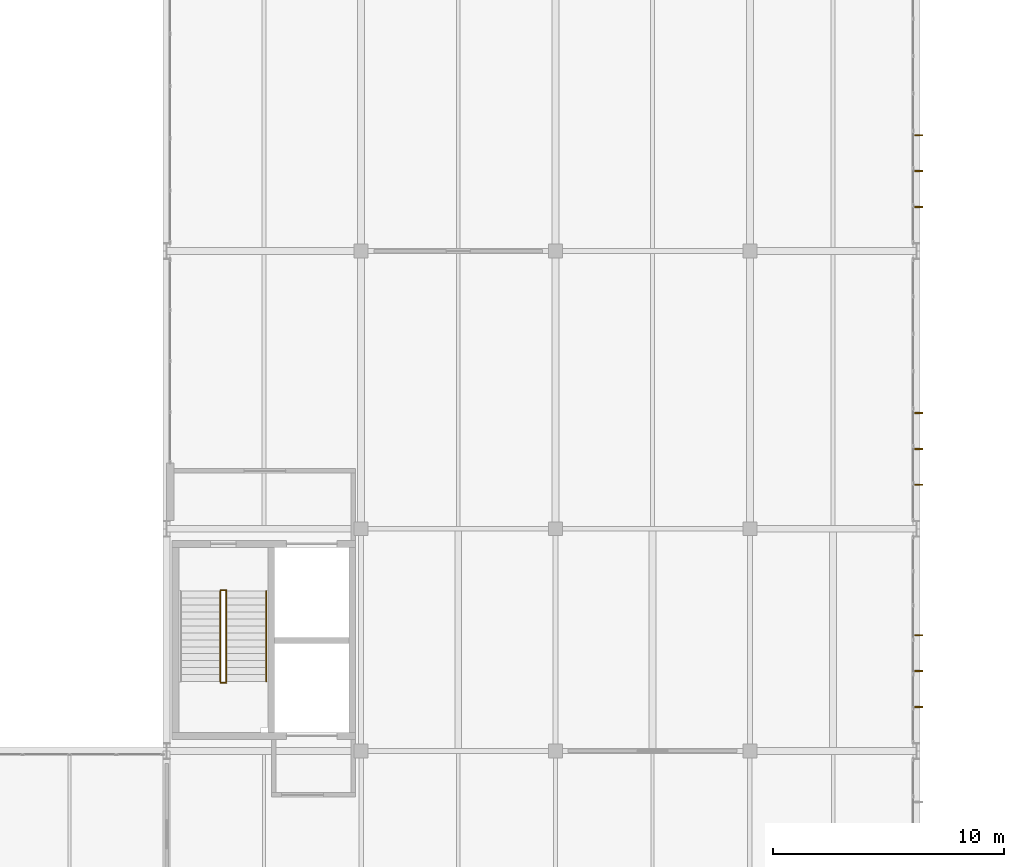
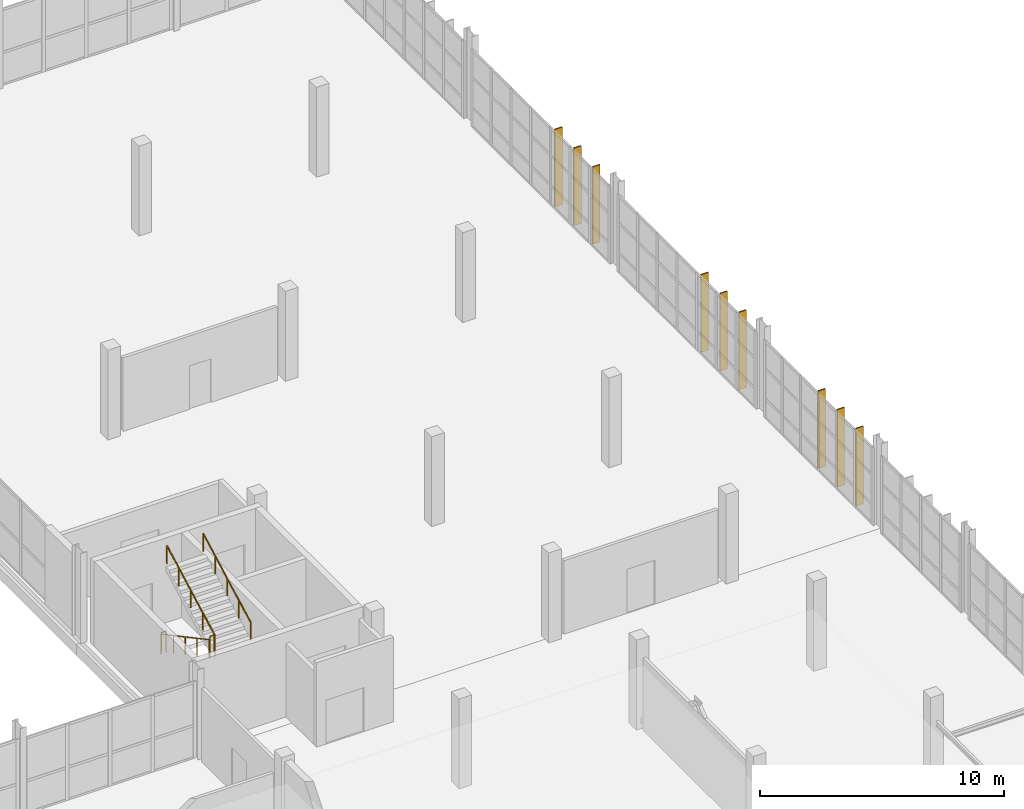
# One storey, part 112 of 113: 9 shading devices, 5 railings.
"""IFC4 building model written with IfcOpenShell, lengths in metres."""

from ifc_helpers import new_model, si_unit, direction, frame, origin, origin_2d, place, context, subcontext, project, spatial, rectangle, circle, extrude, material, type_object, element, save


model = new_model("IFC4")

# Units and contexts
model_context = context("Model", 3, precision=1e-05, world=origin(), true_north=direction((0.0, 1.0)))
body_context = subcontext(model_context, "Body", "Model", "MODEL_VIEW")
ifc_project = project(units=[si_unit("LENGTHUNIT", "METRE"), si_unit("AREAUNIT", "SQUARE_METRE"), si_unit("VOLUMEUNIT", "CUBIC_METRE"), si_unit("PLANEANGLEUNIT", "RADIAN"), si_unit("MASSUNIT", "GRAM", prefix="KILO")], contexts=[model_context])

# Site, building, storey
site_placement = place(None, origin())
site = spatial("IfcSite", under=ifc_project, at=site_placement, CompositionType="ELEMENT")
building_placement = place(site_placement, origin())
building = spatial("IfcBuilding", under=site, at=building_placement, Name="Veltarok Museum of Natural Sciences", CompositionType="ELEMENT")
storey_placement = place(building_placement, frame((0.0, 0.0, 8.39990234375)))
storey = spatial("IfcBuildingStorey", under=building, at=storey_placement, Name="L01", CompositionType="ELEMENT", Elevation=8.39990234375)

# Railings
ifc_material_1 = material(Name="Steel S355J2", Category="steel")
railing_type_1 = type_object("IfcRailingType", Name="Interior Atrium and Stairwell Guardrail 1100", PredefinedType="GUARDRAIL", material=ifc_material_1)
for number, where, name in (
    (1, (134.72998046875, 33.35009765625, 0.0), "Stairwell Floor Guard ST-05 L01"),
    (2, (134.72998046875, 29.340087890625, 2.25), "Landing Well Guard ST-05-L01-L1"),
):
    element("IfcRailing", number, at=place(storey_placement, frame(where)), inside=storey, type_object=railing_type_1, Name=name, PredefinedType="GUARDRAIL", context=body_context, shape_type="SweptSolid", body=[
        extrude(circle(Radius=0.02392578125, at=origin_2d()), frame((0.0, 0.0, 1.076171875), z_axis=(1.0, 0.0, 0.0), x_axis=(0.0, 1.0, 0.0)), (0.0, 0.0, 1.0), 0.239990234375),
        extrude(circle(Radius=0.02099609375, at=origin_2d()), origin(), (0.0, 0.0, 1.0), 1.052001953125),
        extrude(circle(Radius=0.02099609375, at=origin_2d()), frame((0.239990234375, 0.0, 0.0)), (0.0, 0.0, 1.0), 1.052001953125),
    ])
railing_type_2 = type_object("IfcRailingType", Name="Stair Flight Tubular Steel Handrail 900", PredefinedType="HANDRAIL", material=ifc_material_1)
railing_placement = place(storey_placement, frame((134.719970703125, 33.300048828125, 0.160888671875)))
element("IfcRailing", 3, at=railing_placement, inside=storey, type_object=railing_type_2, Name="Stair Handrail ST-05-L01-F1R", PredefinedType="HANDRAIL", context=body_context, shape_type="SweptSolid", body=[
    extrude(circle(Radius=0.02392578125, at=origin_2d()), frame((0.0, 0.0, 0.8759765625), z_axis=(0.0, -0.881503758195, 0.472177005251), x_axis=(1.0, 0.0, 0.0)), (0.0, 0.0, 1.0), 4.42431640625),
    extrude(circle(Radius=0.02099609375, at=origin_2d()), origin(), (0.0, 0.0, 1.0), 0.851806640625),
    extrude(circle(Radius=0.02099609375, at=origin_2d()), frame((0.0, -0.97509765625, 0.522216796875)), (0.0, 0.0, 1.0), 0.851806640625),
    extrude(circle(Radius=0.02099609375, at=origin_2d()), frame((0.0, -1.9501953125, 1.04443359375)), (0.0, 0.0, 1.0), 0.851806640625),
    extrude(circle(Radius=0.02099609375, at=origin_2d()), frame((0.0, -2.925048828125, 1.56689453125)), (0.0, 0.0, 1.0), 0.851806640625),
    extrude(circle(Radius=0.02099609375, at=origin_2d()), frame((0.0, -3.900146484375, 2.089111328125)), (0.0, 0.0, 1.0), 0.851806640625),
])
for number, where, name in (
    (4, (134.97998046875, 29.39990234375, 2.410888671875), "Stair Handrail ST-05-L01-F2L"),
    (5, (136.699951171875, 29.39990234375, 2.410888671875), "Stair Handrail ST-05-L01-F2R"),
):
    element("IfcRailing", number, at=place(storey_placement, frame(where)), inside=storey, type_object=railing_type_2, Name=name, PredefinedType="HANDRAIL", context=body_context, shape_type="SweptSolid", body=[
        extrude(circle(Radius=0.02392578125, at=origin_2d()), frame((0.0, 0.0, 0.8759765625), z_axis=(0.0, 0.881503758195, 0.472177005251), x_axis=(-1.0, 0.0, 0.0)), (0.0, 0.0, 1.0), 4.42431640625),
        extrude(circle(Radius=0.02099609375, at=origin_2d()), origin(), (0.0, 0.0, 1.0), 0.851806640625),
        extrude(circle(Radius=0.02099609375, at=origin_2d()), frame((0.0, 0.97509765625, 0.522216796875)), (0.0, 0.0, 1.0), 0.851806640625),
        extrude(circle(Radius=0.02099609375, at=origin_2d()), frame((0.0, 1.9501953125, 1.04443359375)), (0.0, 0.0, 1.0), 0.851806640625),
        extrude(circle(Radius=0.02099609375, at=origin_2d()), frame((0.0, 2.925048828125, 1.56689453125)), (0.0, 0.0, 1.0), 0.851806640625),
        extrude(circle(Radius=0.02099609375, at=origin_2d()), frame((0.0, 3.900146484375, 2.089111328125)), (0.0, 0.0, 1.0), 0.851806640625),
    ])

# Shading devices
ifc_material_2 = material(Name="Thermally broken anodised aluminium", Category="aluminium")
shading_device_type = type_object("IfcShadingDeviceType", Name="Vertical Anodised Aluminium Solar Shading Fin 350", PredefinedType="JALOUSIE", material=ifc_material_2)
for number, where, z_axis, x_axis, name in (
    (6, (164.889892578125, 28.300048828125, 0.000244140625), (0.0, 0.0, 1.0), (1.0, 0.0, 0.0), "Solar Shading Fin L01 22"),
    (7, (164.889892578125, 29.85009765625, 0.000244140625), (0.0, 0.0, 1.0), (1.0, 0.0, 0.0), "Solar Shading Fin L01 23"),
    (8, (164.889892578125, 31.39990234375, 0.000244140625), (0.0, 0.0, 1.0), (1.0, 0.0, 0.0), "Solar Shading Fin L01 24"),
    (9, (164.889892578125, 37.89990234375, 0.000244140625), (0.0, 0.0, 1.0), (1.0, 0.0, 0.0), "Solar Shading Fin L01 25"),
    (10, (164.889892578125, 39.449951171875, 0.000244140625), (0.0, 0.0, 1.0), (1.0, 0.0, 0.0), "Solar Shading Fin L01 26"),
    (11, (164.889892578125, 41.0, 0.000244140625), (0.0, 0.0, 1.0), (1.0, 0.0, 0.0), "Solar Shading Fin L01 27"),
    (12, (164.889892578125, 49.89990234375, 0.000244140625), (0.0, 0.0, 1.0), (1.0, 0.0, 0.0), "Solar Shading Fin L01 28"),
    (13, (164.889892578125, 51.449951171875, 0.000244140625), (0.0, 0.0, 1.0), (1.0, 0.0, 0.0), "Solar Shading Fin L01 29"),
    (14, (164.889892578125, 53.0, 0.000244140625), (0.0, 0.0, 1.0), (1.0, 0.0, 0.0), "Solar Shading Fin L01 30"),
):
    element("IfcShadingDevice", number, at=place(storey_placement, frame(where, z_axis=z_axis, x_axis=x_axis)), inside=storey, type_object=shading_device_type, Name=name, PredefinedType="JALOUSIE", context=body_context, shape_type="SweptSolid", body=[
        extrude(rectangle(XDim=0.35009765625, YDim=0.06005859375, at=origin_2d()), origin(), (0.0, 0.0, 1.0), 3.8798828125),
    ])

save(model, "model.ifc")
